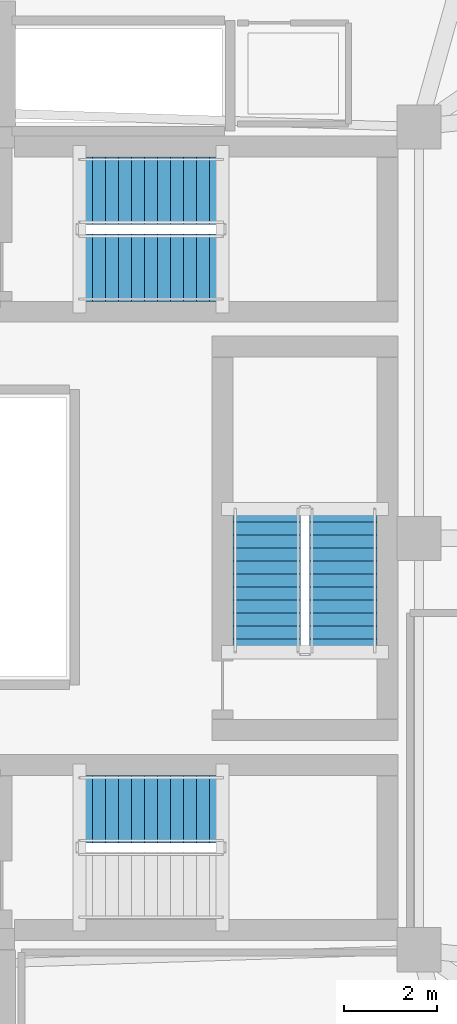
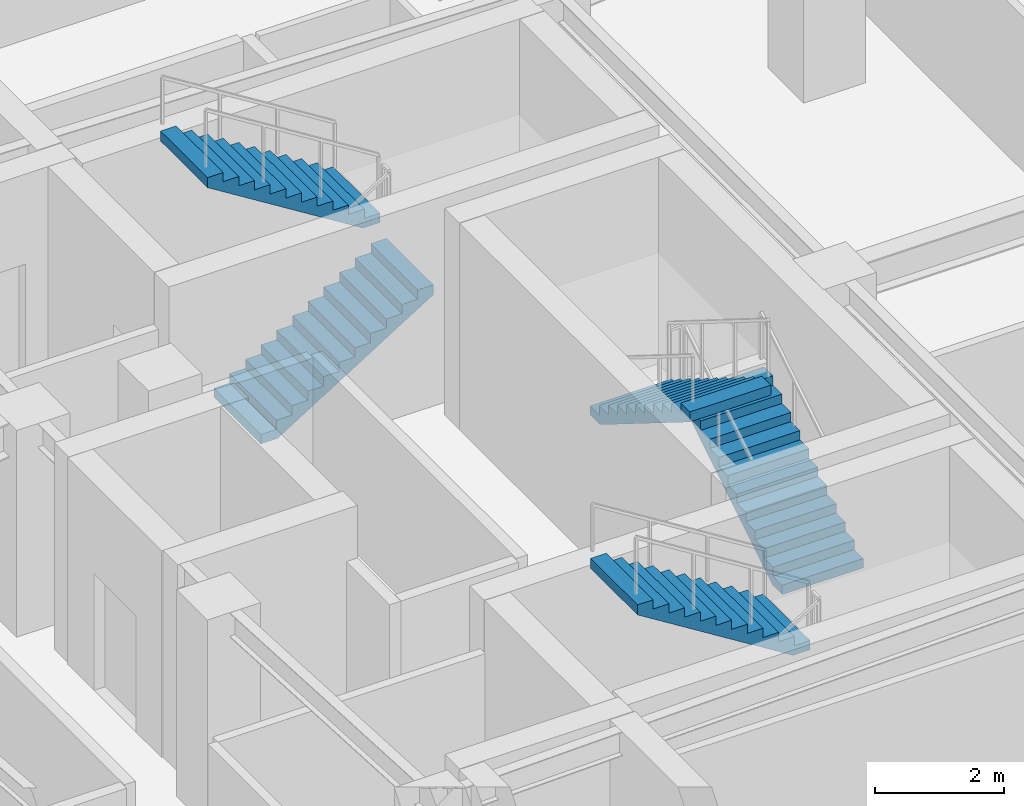
# One storey, part 11 of 13: 5 stair flights, 3 elements without a shape of their own.
"""IFC4 building model written with IfcOpenShell, lengths in metres."""

from ifc_helpers import new_model, si_unit, direction, frame, origin, place, context, subcontext, project, spatial, polyline, outline, extrude, material, type_object, element, aggregate, save


model = new_model("IFC4")

# Units and contexts
model_context = context("Model", 3, precision=1e-05, world=origin(), true_north=direction((0.0, 1.0)))
body_context = subcontext(model_context, "Body", "Model", "MODEL_VIEW")
ifc_project = project(units=[si_unit("LENGTHUNIT", "METRE"), si_unit("AREAUNIT", "SQUARE_METRE"), si_unit("VOLUMEUNIT", "CUBIC_METRE"), si_unit("PLANEANGLEUNIT", "RADIAN"), si_unit("MASSUNIT", "GRAM", prefix="KILO")], contexts=[model_context])

# Site, building, storey
site_placement = place(None, origin())
site = spatial("IfcSite", under=ifc_project, at=site_placement, CompositionType="ELEMENT")
building_placement = place(site_placement, origin())
building = spatial("IfcBuilding", under=site, at=building_placement, Name="Korentha Bioscience Tower", CompositionType="ELEMENT")
storey_placement = place(building_placement, frame((0.0, 0.0, 67.800048828125)))
storey = spatial("IfcBuildingStorey", under=building, at=storey_placement, Name="L15", CompositionType="ELEMENT", Elevation=67.800048828125)

# Stair, stair flights
ifc_material = material(Name="Precast Concrete C50", Category="concrete")
stair_type = type_object("IfcStairType", Name="Core Exit Dog-Leg Stair 1450", PredefinedType="HALF_TURN_STAIR", material=ifc_material)
stair_1_placement = place(storey_placement, origin())
stair_1 = element("IfcStair", 1, at=stair_1_placement, inside=storey, type_object=stair_type, Name="L15 Tower North Pressurized Exit Stair ST-1", PredefinedType="HALF_TURN_STAIR")
stair_flight_type = type_object("IfcStairFlightType", Name="Core Exit Dog-Leg Stair 1450 Flight", PredefinedType="STRAIGHT", material=ifc_material)
stair_flight_1_placement = place(storey_placement, frame((30.25, 32.824951171875, 0.0), z_axis=(0.0, 0.0, 1.0), x_axis=(1.0, 0.0, 0.0)))
stair_flight_1 = element("IfcStairFlight", 2, at=stair_flight_1_placement, type_object=stair_flight_type, Name="ST-1 flight 1", NumberOfRisers=12, NumberOfTreads=11, PredefinedType="STRAIGHT", RiserHeight=0.175, TreadLength=0.28, context=body_context, shape_type="SweptSolid", body=[
    extrude(outline(polyline([(0.0, 0.0), (0.0, 0.175048828125), (0.280029296875, 0.175048828125), (0.280029296875, 0.35009765625), (0.56005859375, 0.35009765625), (0.56005859375, 0.52490234375), (0.840087890625, 0.52490234375), (0.840087890625, 0.699951171875), (1.1201171875, 0.699951171875), (1.1201171875, 0.875), (1.39990234375, 0.875), (1.39990234375, 1.050048828125), (1.679931640625, 1.050048828125), (1.679931640625, 1.22509765625), (1.9599609375, 1.22509765625), (1.9599609375, 1.39990234375), (2.239990234375, 1.39990234375), (2.239990234375, 1.574951171875), (2.52001953125, 1.574951171875), (2.52001953125, 1.75), (2.800048828125, 1.75), (2.800048828125, 1.925048828125), (3.080078125, 1.925048828125), (3.080078125, 2.10009765625), (3.080078125, 1.736328125), (0.3017578125, 0.0), (0.0, 0.0)])), frame((0.0, 0.72509765625, 0.0), z_axis=(0.0, -1.0, 0.0), x_axis=(1.0, 0.0, 0.0)), (0.0, 0.0, 1.0), 1.449951171875),
])
stair_flight_2_placement = place(storey_placement, frame((33.330078125, 34.47509765625, 2.099853515625), z_axis=(0.0, 0.0, 1.0), x_axis=(-1.0, 0.0, 0.0)))
stair_flight_2 = element("IfcStairFlight", 3, at=stair_flight_2_placement, type_object=stair_flight_type, Name="ST-1 flight 2", NumberOfRisers=12, NumberOfTreads=11, PredefinedType="STRAIGHT", RiserHeight=0.175, TreadLength=0.28, context=body_context, shape_type="SweptSolid", body=[
    extrude(outline(polyline([(0.0, 0.0), (0.0, 0.175048828125), (0.280029296875, 0.175048828125), (0.280029296875, 0.35009765625), (0.56005859375, 0.35009765625), (0.56005859375, 0.52490234375), (0.840087890625, 0.52490234375), (0.840087890625, 0.699951171875), (1.1201171875, 0.699951171875), (1.1201171875, 0.875), (1.39990234375, 0.875), (1.39990234375, 1.050048828125), (1.679931640625, 1.050048828125), (1.679931640625, 1.22509765625), (1.9599609375, 1.22509765625), (1.9599609375, 1.39990234375), (2.239990234375, 1.39990234375), (2.239990234375, 1.574951171875), (2.52001953125, 1.574951171875), (2.52001953125, 1.75), (2.800048828125, 1.75), (2.800048828125, 1.925048828125), (3.080078125, 1.925048828125), (3.080078125, 2.10009765625), (3.080078125, 1.736328125), (0.3017578125, 0.0), (0.0, 0.0)])), frame((0.0, 0.72509765625, 0.0), z_axis=(0.0, -1.0, 0.0), x_axis=(1.0, 0.0, 0.0)), (0.0, 0.0, 1.0), 1.449951171875),
])
aggregate(stair_1, [stair_flight_1, stair_flight_2])

# Stair, stair flight
stair_2_placement = place(storey_placement, origin())
stair_2 = element("IfcStair", 4, at=stair_2_placement, inside=storey, type_object=stair_type, Name="L15 Tower South Pressurized Exit Stair ST-2", PredefinedType="HALF_TURN_STAIR")
stair_flight_3_placement = place(storey_placement, frame((33.330078125, 21.175048828125, 2.099853515625), z_axis=(0.0, 0.0, 1.0), x_axis=(-1.0, 0.0, 0.0)))
stair_flight_3 = element("IfcStairFlight", 5, at=stair_flight_3_placement, type_object=stair_flight_type, Name="ST-2 flight 2", NumberOfRisers=12, NumberOfTreads=11, PredefinedType="STRAIGHT", RiserHeight=0.175, TreadLength=0.28, context=body_context, shape_type="SweptSolid", body=[
    extrude(outline(polyline([(0.0, 0.0), (0.0, 0.175048828125), (0.280029296875, 0.175048828125), (0.280029296875, 0.35009765625), (0.56005859375, 0.35009765625), (0.56005859375, 0.52490234375), (0.840087890625, 0.52490234375), (0.840087890625, 0.699951171875), (1.1201171875, 0.699951171875), (1.1201171875, 0.875), (1.39990234375, 0.875), (1.39990234375, 1.050048828125), (1.679931640625, 1.050048828125), (1.679931640625, 1.22509765625), (1.9599609375, 1.22509765625), (1.9599609375, 1.39990234375), (2.239990234375, 1.39990234375), (2.239990234375, 1.574951171875), (2.52001953125, 1.574951171875), (2.52001953125, 1.75), (2.800048828125, 1.75), (2.800048828125, 1.925048828125), (3.080078125, 1.925048828125), (3.080078125, 2.10009765625), (3.080078125, 1.736328125), (0.3017578125, 0.0), (0.0, 0.0)])), frame((0.0, 0.72509765625, 0.0), z_axis=(0.0, -1.0, 0.0), x_axis=(1.0, 0.0, 0.0)), (0.0, 0.0, 1.0), 1.449951171875),
])
aggregate(stair_2, [stair_flight_3])

# Stair, stair flights
stair_3_placement = place(storey_placement, origin())
stair_3 = element("IfcStair", 6, at=stair_3_placement, inside=storey, type_object=stair_type, Name="L15 Tower Central Pressurized Exit Stair ST-3", PredefinedType="HALF_TURN_STAIR")
stair_flight_4_placement = place(storey_placement, frame((35.925048828125, 24.550048828125, 0.0), z_axis=(0.0, 0.0, 1.0), x_axis=(0.0, 1.0, 0.0)))
stair_flight_4 = element("IfcStairFlight", 7, at=stair_flight_4_placement, type_object=stair_flight_type, Name="ST-3 flight 1", NumberOfRisers=12, NumberOfTreads=11, PredefinedType="STRAIGHT", RiserHeight=0.175, TreadLength=0.28, context=body_context, shape_type="SweptSolid", body=[
    extrude(outline(polyline([(0.0, 0.0), (0.0, 0.175048828125), (0.280029296875, 0.175048828125), (0.280029296875, 0.35009765625), (0.56005859375, 0.35009765625), (0.56005859375, 0.52490234375), (0.840087890625, 0.52490234375), (0.840087890625, 0.699951171875), (1.1201171875, 0.699951171875), (1.1201171875, 0.875), (1.39990234375, 0.875), (1.39990234375, 1.050048828125), (1.679931640625, 1.050048828125), (1.679931640625, 1.22509765625), (1.9599609375, 1.22509765625), (1.9599609375, 1.39990234375), (2.239990234375, 1.39990234375), (2.239990234375, 1.574951171875), (2.52001953125, 1.574951171875), (2.52001953125, 1.75), (2.800048828125, 1.75), (2.800048828125, 1.925048828125), (3.080078125, 1.925048828125), (3.080078125, 2.10009765625), (3.080078125, 1.736328125), (0.3017578125, 0.0), (0.0, 0.0)])), frame((0.0, 0.72509765625, 0.0), z_axis=(0.0, -1.0, 0.0), x_axis=(1.0, 0.0, 0.0)), (0.0, 0.0, 1.0), 1.449951171875),
])
stair_flight_5_placement = place(storey_placement, frame((34.27490234375, 27.6298828125, 2.099853515625), z_axis=(0.0, 0.0, 1.0), x_axis=(0.0, -1.0, 0.0)))
stair_flight_5 = element("IfcStairFlight", 8, at=stair_flight_5_placement, type_object=stair_flight_type, Name="ST-3 flight 2", NumberOfRisers=12, NumberOfTreads=11, PredefinedType="STRAIGHT", RiserHeight=0.175, TreadLength=0.28, context=body_context, shape_type="SweptSolid", body=[
    extrude(outline(polyline([(0.0, 0.0), (0.0, 0.175048828125), (0.280029296875, 0.175048828125), (0.280029296875, 0.35009765625), (0.56005859375, 0.35009765625), (0.56005859375, 0.52490234375), (0.840087890625, 0.52490234375), (0.840087890625, 0.699951171875), (1.1201171875, 0.699951171875), (1.1201171875, 0.875), (1.39990234375, 0.875), (1.39990234375, 1.050048828125), (1.679931640625, 1.050048828125), (1.679931640625, 1.22509765625), (1.9599609375, 1.22509765625), (1.9599609375, 1.39990234375), (2.239990234375, 1.39990234375), (2.239990234375, 1.574951171875), (2.52001953125, 1.574951171875), (2.52001953125, 1.75), (2.800048828125, 1.75), (2.800048828125, 1.925048828125), (3.080078125, 1.925048828125), (3.080078125, 2.10009765625), (3.080078125, 1.736328125), (0.3017578125, 0.0), (0.0, 0.0)])), frame((0.0, 0.72509765625, 0.0), z_axis=(0.0, -1.0, 0.0), x_axis=(1.0, 0.0, 0.0)), (0.0, 0.0, 1.0), 1.449951171875),
])
aggregate(stair_3, [stair_flight_4, stair_flight_5])

save(model, "model.ifc")
